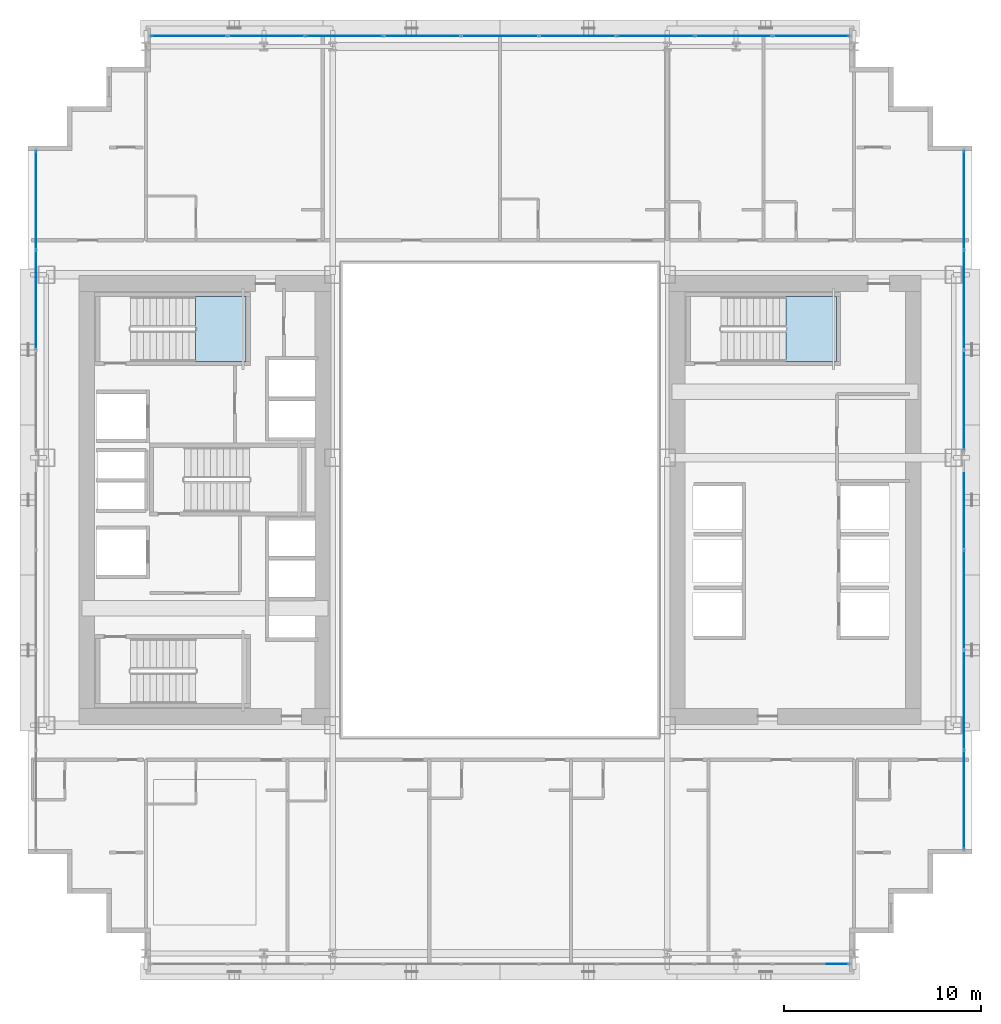
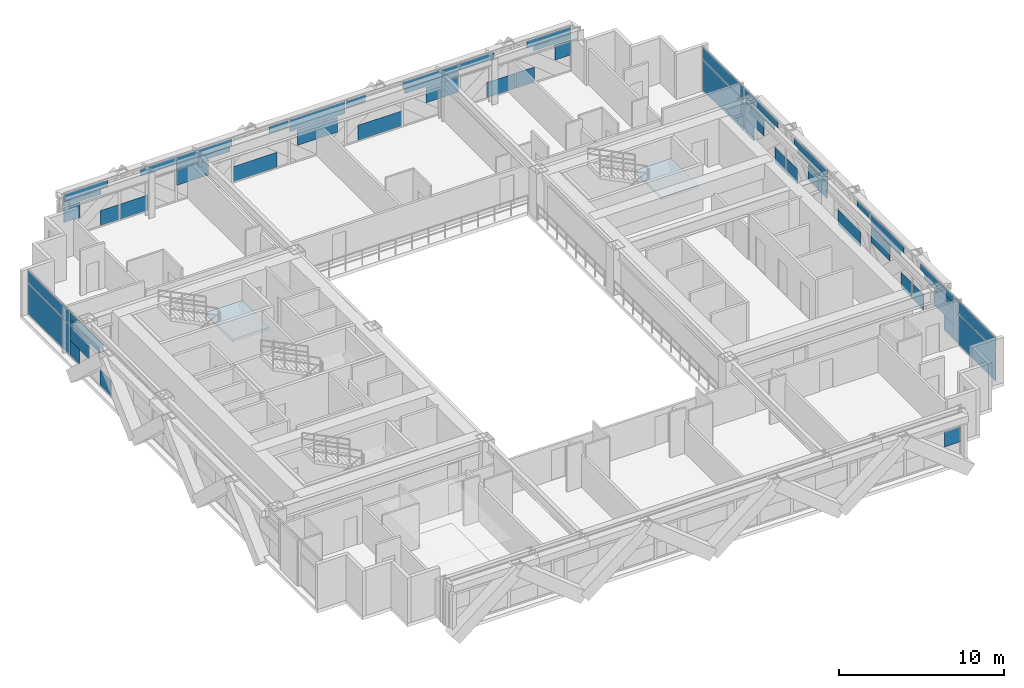
# One storey, part 24 of 35: 56 plates, 2 slabs, 6 elements without a shape of their own.
"""IFC4 building model written with IfcOpenShell, lengths in metres."""

from ifc_helpers import new_model, si_unit, direction, frame, origin, origin_2d, place, context, subcontext, project, spatial, polyline, rectangle, outline, extrude, source, transform, mapped, material, layer, layer_set, type_object, element, aggregate, save


model = new_model("IFC4")

# Units and contexts
model_context = context("Model", 3, precision=1e-05, world=origin(), true_north=direction((0.0, 1.0)))
body_context = subcontext(model_context, "Body", "Model", "MODEL_VIEW")
ifc_project = project(units=[si_unit("LENGTHUNIT", "METRE"), si_unit("AREAUNIT", "SQUARE_METRE"), si_unit("VOLUMEUNIT", "CUBIC_METRE"), si_unit("PLANEANGLEUNIT", "RADIAN"), si_unit("MASSUNIT", "GRAM", prefix="KILO")], contexts=[model_context])

# Site, building, storey
site_placement = place(None, origin())
site = spatial("IfcSite", under=ifc_project, at=site_placement, CompositionType="ELEMENT")
building_placement = place(site_placement, origin())
building = spatial("IfcBuilding", under=site, at=building_placement, Name="Ocotamira Hotel", CompositionType="ELEMENT")
storey_placement = place(building_placement, frame((0.0, 0.0, 78.0)))
storey = spatial("IfcBuildingStorey", under=building, at=storey_placement, Name="L19", CompositionType="ELEMENT", Elevation=78.0)

# Stair, slab
ifc_material_1 = material(Name="Concrete C40/50", Category="concrete")
stair_type = type_object("IfcStairType", Name="ST-CORE-1560", PredefinedType="HALF_TURN_STAIR", material=ifc_material_1)
stair_1_placement = place(storey_placement, origin())
stair_1 = element("IfcStair", 1, at=stair_1_placement, inside=storey, type_object=stair_type, Name="L19 Exit Stair ST-2", PredefinedType="HALF_TURN_STAIR")
ifc_layer_1 = layer(ifc_material_1, 0.199951171875)
ifc_layer_set_1 = layer_set([ifc_layer_1], Name="Concrete C40/50")
slab_type = type_object("IfcSlabType", Name="SLB-LAND-200", PredefinedType="LANDING", material=ifc_layer_set_1)
slab_1_placement = place(storey_placement, frame((0.0, 0.0, 1.60009765625)))
slab_1 = element("IfcSlab", 2, at=slab_1_placement, type_object=slab_type, Name="ST-2 landing 1", PredefinedType="LANDING", context=body_context, shape_type="SweptSolid", body=[
    extrude(outline(polyline([(16.530029296875, 33.050048828125), (19.090087890625, 33.050048828125), (19.090087890625, 36.330078125), (16.530029296875, 36.330078125), (16.530029296875, 33.050048828125)])), origin(), (0.0, 0.0, 1.0), 0.199951171875),
])
aggregate(stair_1, [slab_1])

stair_2_placement = place(storey_placement, origin())
stair_2 = element("IfcStair", 3, at=stair_2_placement, inside=storey, type_object=stair_type, Name="L19 Exit Stair ST-4", PredefinedType="HALF_TURN_STAIR")
slab_2_placement = place(storey_placement, frame((0.0, 0.0, 1.60009765625)))
slab_2 = element("IfcSlab", 4, at=slab_2_placement, type_object=slab_type, Name="ST-4 landing 1", PredefinedType="LANDING", context=body_context, shape_type="SweptSolid", body=[
    extrude(outline(polyline([(46.530029296875, 33.050048828125), (49.090087890625, 33.050048828125), (49.090087890625, 36.330078125), (46.530029296875, 36.330078125), (46.530029296875, 33.050048828125)])), origin(), (0.0, 0.0, 1.0), 0.199951171875),
])
aggregate(stair_2, [slab_2])

# Curtain wall, plates
ifc_material_2 = material(Name="Anodised pale-metal aluminium and solar glass", Category="aluminium")
ifc_layer_2 = layer(ifc_material_2, 0.179931640625)
ifc_layer_set_2 = layer_set([ifc_layer_2], Name="Anodised pale-metal aluminium and solar glass")
curtain_wall_type = type_object("IfcCurtainWallType", Name="CW-SYS2-Z1", PredefinedType="NOTDEFINED", material=ifc_layer_set_2)
curtain_wall_1_placement = place(storey_placement, origin())
curtain_wall_1 = element("IfcCurtainWall", 5, at=curtain_wall_1_placement, inside=storey, type_object=curtain_wall_type, Name="L19 Curtain Wall CW-2 CW-L19-N", PredefinedType="NOTDEFINED")
ifc_material_3 = material(Name="Double-silver low-E insulated solar glass", Category="glass")
ifc_layer_3 = layer(ifc_material_3, 0.031982421875)
ifc_layer_set_3 = layer_set([ifc_layer_3], Name="Double-silver low-E insulated solar glass")
plate_type = type_object("IfcPlateType", Name="CWP-VISION-32", PredefinedType="CURTAIN_PANEL", material=ifc_layer_set_3)
shared_shape_1 = source(origin(), body_context, "Body", "SweptSolid", [
    extrude(rectangle(XDim=1.278076171875, YDim=0.031982421875, at=origin_2d()), origin(), (0.0, 0.0, 1.0), 1.11865234375),
])
plate_1_placement = place(storey_placement, frame((17.4765625, 49.580078125, 0.0751953125), z_axis=(0.0, 0.0, 1.0), x_axis=(1.0, 0.0, 0.0)))
plate_1 = element("IfcPlate", 6, at=plate_1_placement, type_object=plate_type, Name="CW-2 panel 1.1.2", PredefinedType="CURTAIN_PANEL", context=body_context, shape_type="MappedRepresentation", body=[
    mapped(shared_shape_1, transform((0.0, 0.0, 0.0), scale=1.0)),
])
plate_2_placement = place(storey_placement, frame((46.5234375, 49.580078125, 0.0751953125), z_axis=(0.0, 0.0, 1.0), x_axis=(1.0, 0.0, 0.0)))
plate_2 = element("IfcPlate", 7, at=plate_2_placement, type_object=plate_type, Name="CW-2 panel 9.1.1", PredefinedType="CURTAIN_PANEL", context=body_context, shape_type="MappedRepresentation", body=[
    mapped(shared_shape_1, transform((0.0, 0.0, 0.0), scale=1.0)),
])
shared_shape_2 = source(origin(), body_context, "Body", "SweptSolid", [
    extrude(rectangle(XDim=3.079833984375, YDim=0.031982421875, at=origin_2d()), origin(), (0.0, 0.0, 1.0), 0.5107421875),
])
plate_3_placement = place(storey_placement, frame((15.820068359375, 49.580078125, 2.76416015625), z_axis=(0.0, 0.0, 1.0), x_axis=(1.0, 0.0, 0.0)))
plate_3 = element("IfcPlate", 8, at=plate_3_placement, type_object=plate_type, Name="CW-2 panel 1.2.2", PredefinedType="CURTAIN_PANEL", context=body_context, shape_type="MappedRepresentation", body=[
    mapped(shared_shape_2, transform((0.0, 0.0, 0.0), scale=1.0)),
])
plate_4_placement = place(storey_placement, frame((48.179931640625, 49.580078125, 2.76416015625), z_axis=(0.0, 0.0, 1.0), x_axis=(1.0, 0.0, 0.0)))
plate_4 = element("IfcPlate", 9, at=plate_4_placement, type_object=plate_type, Name="CW-2 panel 9.2.1", PredefinedType="CURTAIN_PANEL", context=body_context, shape_type="MappedRepresentation", body=[
    mapped(shared_shape_2, transform((0.0, 0.0, 0.0), scale=1.0)),
])
shared_shape_3 = source(origin(), body_context, "Body", "SweptSolid", [
    extrude(rectangle(XDim=1.966796875, YDim=0.031982421875, at=origin_2d()), origin(), (0.0, 0.0, 1.0), 1.11865234375),
])
plate_5_placement = place(storey_placement, frame((19.178955078125, 49.580078125, 0.0751953125), z_axis=(0.0, 0.0, 1.0), x_axis=(1.0, 0.0, 0.0)))
plate_5 = element("IfcPlate", 10, at=plate_5_placement, type_object=plate_type, Name="CW-2 panel 2.1.1", PredefinedType="CURTAIN_PANEL", context=body_context, shape_type="MappedRepresentation", body=[
    mapped(shared_shape_3, transform((0.0, 0.0, 0.0), scale=1.0)),
])
plate_6_placement = place(storey_placement, frame((44.821044921875, 49.580078125, 0.0751953125), z_axis=(0.0, 0.0, 1.0), x_axis=(1.0, 0.0, 0.0)))
plate_6 = element("IfcPlate", 11, at=plate_6_placement, type_object=plate_type, Name="CW-2 panel 8.1.1", PredefinedType="CURTAIN_PANEL", context=body_context, shape_type="MappedRepresentation", body=[
    mapped(shared_shape_3, transform((0.0, 0.0, 0.0), scale=1.0)),
])
shared_shape_4 = source(origin(), body_context, "Body", "SweptSolid", [
    extrude(rectangle(XDim=2.430908203125, YDim=0.031982421875, at=origin_2d()), origin(), (0.0, 0.0, 1.0), 0.5107421875),
])
plate_7_placement = place(storey_placement, frame((20.855712890625, 49.580078125, 2.76416015625), z_axis=(0.0, 0.0, 1.0), x_axis=(1.0, 0.0, 0.0)))
plate_7 = element("IfcPlate", 12, at=plate_7_placement, type_object=plate_type, Name="CW-2 panel 2.2.1", PredefinedType="CURTAIN_PANEL", context=body_context, shape_type="MappedRepresentation", body=[
    mapped(shared_shape_4, transform((0.0, 0.0, 0.0), scale=1.0)),
])
plate_8_placement = place(storey_placement, frame((43.144287109375, 49.580078125, 2.76416015625), z_axis=(0.0, 0.0, 1.0), x_axis=(1.0, 0.0, 0.0)))
plate_8 = element("IfcPlate", 13, at=plate_8_placement, type_object=plate_type, Name="CW-2 panel 8.2.1", PredefinedType="CURTAIN_PANEL", context=body_context, shape_type="MappedRepresentation", body=[
    mapped(shared_shape_4, transform((0.0, 0.0, 0.0), scale=1.0)),
])
shared_shape_5 = source(origin(), body_context, "Body", "SweptSolid", [
    extrude(rectangle(XDim=3.73779296875, YDim=0.031982421875, at=origin_2d()), origin(), (0.0, 0.0, 1.0), 0.376708984375),
])
plate_9_placement = place(storey_placement, frame((24.02001953125, 49.580078125, 2.3876953125), z_axis=(0.0, 0.0, 1.0), x_axis=(1.0, 0.0, 0.0)))
plate_9 = element("IfcPlate", 14, at=plate_9_placement, type_object=plate_type, Name="CW-2 panel 3.2.1", PredefinedType="CURTAIN_PANEL", context=body_context, shape_type="MappedRepresentation", body=[
    mapped(shared_shape_5, transform((0.0, 0.0, 0.0), scale=1.0)),
])
plate_10_placement = place(storey_placement, frame((39.97998046875, 49.580078125, 2.3876953125), z_axis=(0.0, 0.0, 1.0), x_axis=(1.0, 0.0, 0.0)))
plate_10 = element("IfcPlate", 15, at=plate_10_placement, type_object=plate_type, Name="CW-2 panel 7.2.2", PredefinedType="CURTAIN_PANEL", context=body_context, shape_type="MappedRepresentation", body=[
    mapped(shared_shape_5, transform((0.0, 0.0, 0.0), scale=1.0)),
])
shared_shape_6 = source(origin(), body_context, "Body", "SweptSolid", [
    extrude(rectangle(XDim=3.87548828125, YDim=0.031982421875, at=origin_2d()), origin(), (0.0, 0.0, 1.0), 0.5107421875),
])
plate_11_placement = place(storey_placement, frame((24.0888671875, 49.580078125, 2.76416015625), z_axis=(0.0, 0.0, 1.0), x_axis=(1.0, 0.0, 0.0)))
plate_11 = element("IfcPlate", 16, at=plate_11_placement, type_object=plate_type, Name="CW-2 panel 3.2.2", PredefinedType="CURTAIN_PANEL", context=body_context, shape_type="MappedRepresentation", body=[
    mapped(shared_shape_6, transform((0.0, 0.0, 0.0), scale=1.0)),
])
plate_12_placement = place(storey_placement, frame((39.9111328125, 49.580078125, 2.76416015625), z_axis=(0.0, 0.0, 1.0), x_axis=(1.0, 0.0, 0.0)))
plate_12 = element("IfcPlate", 17, at=plate_12_placement, type_object=plate_type, Name="CW-2 panel 7.2.1", PredefinedType="CURTAIN_PANEL", context=body_context, shape_type="MappedRepresentation", body=[
    mapped(shared_shape_6, transform((0.0, 0.0, 0.0), scale=1.0)),
])
shared_shape_7 = source(origin(), body_context, "Body", "SweptSolid", [
    extrude(rectangle(XDim=3.055908203125, YDim=0.031982421875, at=origin_2d()), origin(), (0.0, 0.0, 1.0), 1.11865234375),
])
plate_13_placement = place(storey_placement, frame((27.634521484375, 49.580078125, 0.0751953125), z_axis=(0.0, 0.0, 1.0), x_axis=(1.0, 0.0, 0.0)))
plate_13 = element("IfcPlate", 18, at=plate_13_placement, type_object=plate_type, Name="CW-2 panel 4.1.1", PredefinedType="CURTAIN_PANEL", context=body_context, shape_type="MappedRepresentation", body=[
    mapped(shared_shape_7, transform((0.0, 0.0, 0.0), scale=1.0)),
])
plate_14_placement = place(storey_placement, frame((36.365478515625, 49.580078125, 0.0751953125), z_axis=(0.0, 0.0, 1.0), x_axis=(1.0, 0.0, 0.0)))
plate_14 = element("IfcPlate", 19, at=plate_14_placement, type_object=plate_type, Name="CW-2 panel 6.1.1", PredefinedType="CURTAIN_PANEL", context=body_context, shape_type="MappedRepresentation", body=[
    mapped(shared_shape_7, transform((0.0, 0.0, 0.0), scale=1.0)),
])
shared_shape_8 = source(origin(), body_context, "Body", "SweptSolid", [
    extrude(rectangle(XDim=1.34228515625, YDim=0.031982421875, at=origin_2d()), origin(), (0.0, 0.0, 1.0), 0.5107421875),
])
plate_15_placement = place(storey_placement, frame((29.31103515625, 49.580078125, 2.76416015625), z_axis=(0.0, 0.0, 1.0), x_axis=(1.0, 0.0, 0.0)))
plate_15 = element("IfcPlate", 20, at=plate_15_placement, type_object=plate_type, Name="CW-2 panel 4.2.1", PredefinedType="CURTAIN_PANEL", context=body_context, shape_type="MappedRepresentation", body=[
    mapped(shared_shape_8, transform((0.0, 0.0, 0.0), scale=1.0)),
])
plate_16_placement = place(storey_placement, frame((34.68896484375, 49.580078125, 2.76416015625), z_axis=(0.0, 0.0, 1.0), x_axis=(1.0, 0.0, 0.0)))
plate_16 = element("IfcPlate", 21, at=plate_16_placement, type_object=plate_type, Name="CW-2 panel 6.2.1", PredefinedType="CURTAIN_PANEL", context=body_context, shape_type="MappedRepresentation", body=[
    mapped(shared_shape_8, transform((0.0, 0.0, 0.0), scale=1.0)),
])
shared_shape_9 = source(origin(), body_context, "Body", "SweptSolid", [
    extrude(rectangle(XDim=3.87548828125, YDim=0.031982421875, at=origin_2d()), origin(), (0.0, 0.0, 1.0), 0.887451171875),
])
plate_17_placement = place(storey_placement, frame((32.0, 49.580078125, 2.3876953125), z_axis=(0.0, 0.0, 1.0), x_axis=(1.0, 0.0, 0.0)))
plate_17 = element("IfcPlate", 22, at=plate_17_placement, type_object=plate_type, Name="CW-2 panel 5.2", PredefinedType="CURTAIN_PANEL", context=body_context, shape_type="MappedRepresentation", body=[
    mapped(shared_shape_9, transform((0.0, 0.0, 0.0), scale=1.0)),
])

# Curtain wall, plate
curtain_wall_2_placement = place(storey_placement, origin())
curtain_wall_2 = element("IfcCurtainWall", 23, at=curtain_wall_2_placement, inside=storey, type_object=curtain_wall_type, Name="L19 Curtain Wall CW-2 CW-L19-W", PredefinedType="NOTDEFINED")
shared_shape_10 = source(origin(), body_context, "Body", "SweptSolid", [
    extrude(rectangle(XDim=4.9658203125, YDim=0.031982421875, at=origin_2d()), origin(), (0.0, 0.0, 1.0), 2.237548828125),
])
plate_18_placement = place(storey_placement, frame((8.419921875, 41.237060546875, 0.0751953125), z_axis=(0.0, 0.0, 1.0), x_axis=(0.0, 1.0, 0.0)))
plate_18 = element("IfcPlate", 24, at=plate_18_placement, type_object=plate_type, Name="CW-2 panel 7.1", PredefinedType="CURTAIN_PANEL", context=body_context, shape_type="MappedRepresentation", body=[
    mapped(shared_shape_10, transform((0.0, 0.0, 0.0), scale=1.0)),
])

# Curtain wall, plates
curtain_wall_3_placement = place(storey_placement, origin())
curtain_wall_3 = element("IfcCurtainWall", 25, at=curtain_wall_3_placement, inside=storey, type_object=curtain_wall_type, Name="L19 Curtain Wall CW-2 CW-L19-E", PredefinedType="NOTDEFINED")
plate_19_placement = place(storey_placement, frame((55.580078125, 10.762939453125, 0.0751953125), z_axis=(0.0, 0.0, 1.0), x_axis=(0.0, 1.0, 0.0)))
plate_19 = element("IfcPlate", 26, at=plate_19_placement, type_object=plate_type, Name="CW-2 panel 1.1", PredefinedType="CURTAIN_PANEL", context=body_context, shape_type="MappedRepresentation", body=[
    mapped(shared_shape_10, transform((0.0, 0.0, 0.0), scale=1.0)),
])
plate_20_placement = place(storey_placement, frame((55.580078125, 41.237060546875, 0.0751953125), z_axis=(0.0, 0.0, 1.0), x_axis=(0.0, 1.0, 0.0)))
plate_20 = element("IfcPlate", 27, at=plate_20_placement, type_object=plate_type, Name="CW-2 panel 7.1", PredefinedType="CURTAIN_PANEL", context=body_context, shape_type="MappedRepresentation", body=[
    mapped(shared_shape_10, transform((0.0, 0.0, 0.0), scale=1.0)),
])

# Plate
shared_shape_11 = source(origin(), body_context, "Body", "SweptSolid", [
    extrude(rectangle(XDim=4.9658203125, YDim=0.031982421875, at=origin_2d()), origin(), (0.0, 0.0, 1.0), 0.887451171875),
])
plate_21_placement = place(storey_placement, frame((8.419921875, 41.237060546875, 2.3876953125), z_axis=(0.0, 0.0, 1.0), x_axis=(0.0, 1.0, 0.0)))
plate_21 = element("IfcPlate", 28, at=plate_21_placement, type_object=plate_type, Name="CW-2 panel 7.2", PredefinedType="CURTAIN_PANEL", context=body_context, shape_type="MappedRepresentation", body=[
    mapped(shared_shape_11, transform((0.0, 0.0, 0.0), scale=1.0)),
])

plate_22_placement = place(storey_placement, frame((55.580078125, 10.762939453125, 2.3876953125), z_axis=(0.0, 0.0, 1.0), x_axis=(0.0, 1.0, 0.0)))
plate_22 = element("IfcPlate", 29, at=plate_22_placement, type_object=plate_type, Name="CW-2 panel 1.2", PredefinedType="CURTAIN_PANEL", context=body_context, shape_type="MappedRepresentation", body=[
    mapped(shared_shape_11, transform((0.0, 0.0, 0.0), scale=1.0)),
])

plate_23_placement = place(storey_placement, frame((55.580078125, 41.237060546875, 2.3876953125), z_axis=(0.0, 0.0, 1.0), x_axis=(0.0, 1.0, 0.0)))
plate_23 = element("IfcPlate", 30, at=plate_23_placement, type_object=plate_type, Name="CW-2 panel 7.2", PredefinedType="CURTAIN_PANEL", context=body_context, shape_type="MappedRepresentation", body=[
    mapped(shared_shape_11, transform((0.0, 0.0, 0.0), scale=1.0)),
])

shared_shape_12 = source(origin(), body_context, "Body", "SweptSolid", [
    extrude(rectangle(XDim=1.177978515625, YDim=0.031982421875, at=origin_2d()), origin(), (0.0, 0.0, 1.0), 1.11865234375),
])
plate_24_placement = place(storey_placement, frame((8.419921875, 38.085205078125, 0.0751953125), z_axis=(0.0, 0.0, 1.0), x_axis=(0.0, 1.0, 0.0)))
plate_24 = element("IfcPlate", 31, at=plate_24_placement, type_object=plate_type, Name="CW-2 panel 6.1.3", PredefinedType="CURTAIN_PANEL", context=body_context, shape_type="MappedRepresentation", body=[
    mapped(shared_shape_12, transform((0.0, 0.0, 0.0), scale=1.0)),
])

plate_25_placement = place(storey_placement, frame((55.580078125, 13.914794921875, 0.0751953125), z_axis=(0.0, 0.0, 1.0), x_axis=(0.0, 1.0, 0.0)))
plate_25 = element("IfcPlate", 32, at=plate_25_placement, type_object=plate_type, Name="CW-2 panel 2.1.1", PredefinedType="CURTAIN_PANEL", context=body_context, shape_type="MappedRepresentation", body=[
    mapped(shared_shape_12, transform((0.0, 0.0, 0.0), scale=1.0)),
])

plate_26_placement = place(storey_placement, frame((55.580078125, 38.085205078125, 0.0751953125), z_axis=(0.0, 0.0, 1.0), x_axis=(0.0, 1.0, 0.0)))
plate_26 = element("IfcPlate", 33, at=plate_26_placement, type_object=plate_type, Name="CW-2 panel 6.1.3", PredefinedType="CURTAIN_PANEL", context=body_context, shape_type="MappedRepresentation", body=[
    mapped(shared_shape_12, transform((0.0, 0.0, 0.0), scale=1.0)),
])

shared_shape_13 = source(origin(), body_context, "Body", "SweptSolid", [
    extrude(rectangle(XDim=1.330078125, YDim=0.031982421875, at=origin_2d()), origin(), (0.0, 0.0, 1.0), 1.11865234375),
])
plate_27_placement = place(storey_placement, frame((8.419921875, 34.33349609375, 0.0751953125), z_axis=(0.0, 0.0, 1.0), x_axis=(0.0, 1.0, 0.0)))
plate_27 = element("IfcPlate", 34, at=plate_27_placement, type_object=plate_type, Name="CW-2 panel 6.1.1", PredefinedType="CURTAIN_PANEL", context=body_context, shape_type="MappedRepresentation", body=[
    mapped(shared_shape_13, transform((0.0, 0.0, 0.0), scale=1.0)),
])

plate_28_placement = place(storey_placement, frame((55.580078125, 17.66650390625, 0.0751953125), z_axis=(0.0, 0.0, 1.0), x_axis=(0.0, 1.0, 0.0)))
plate_28 = element("IfcPlate", 35, at=plate_28_placement, type_object=plate_type, Name="CW-2 panel 2.1.3", PredefinedType="CURTAIN_PANEL", context=body_context, shape_type="MappedRepresentation", body=[
    mapped(shared_shape_13, transform((0.0, 0.0, 0.0), scale=1.0)),
])

plate_29_placement = place(storey_placement, frame((55.580078125, 34.33349609375, 0.0751953125), z_axis=(0.0, 0.0, 1.0), x_axis=(0.0, 1.0, 0.0)))
plate_29 = element("IfcPlate", 36, at=plate_29_placement, type_object=plate_type, Name="CW-2 panel 6.1.1", PredefinedType="CURTAIN_PANEL", context=body_context, shape_type="MappedRepresentation", body=[
    mapped(shared_shape_13, transform((0.0, 0.0, 0.0), scale=1.0)),
])

shared_shape_14 = source(origin(), body_context, "Body", "SweptSolid", [
    extrude(rectangle(XDim=4.05615234375, YDim=0.031982421875, at=origin_2d()), origin(), (0.0, 0.0, 1.0), 0.485107421875),
])
plate_30_placement = place(storey_placement, frame((8.419921875, 36.646240234375, 2.7900390625), z_axis=(0.0, 0.0, 1.0), x_axis=(0.0, 1.0, 0.0)))
plate_30 = element("IfcPlate", 37, at=plate_30_placement, type_object=plate_type, Name="CW-2 panel 6.2.1", PredefinedType="CURTAIN_PANEL", context=body_context, shape_type="MappedRepresentation", body=[
    mapped(shared_shape_14, transform((0.0, 0.0, 0.0), scale=1.0)),
])

plate_31_placement = place(storey_placement, frame((55.580078125, 15.353759765625, 2.7900390625), z_axis=(0.0, 0.0, 1.0), x_axis=(0.0, 1.0, 0.0)))
plate_31 = element("IfcPlate", 38, at=plate_31_placement, type_object=plate_type, Name="CW-2 panel 2.2.2", PredefinedType="CURTAIN_PANEL", context=body_context, shape_type="MappedRepresentation", body=[
    mapped(shared_shape_14, transform((0.0, 0.0, 0.0), scale=1.0)),
])

plate_32_placement = place(storey_placement, frame((55.580078125, 36.646240234375, 2.7900390625), z_axis=(0.0, 0.0, 1.0), x_axis=(0.0, 1.0, 0.0)))
plate_32 = element("IfcPlate", 39, at=plate_32_placement, type_object=plate_type, Name="CW-2 panel 6.2.1", PredefinedType="CURTAIN_PANEL", context=body_context, shape_type="MappedRepresentation", body=[
    mapped(shared_shape_14, transform((0.0, 0.0, 0.0), scale=1.0)),
])

shared_shape_15 = source(origin(), body_context, "Body", "SweptSolid", [
    extrude(rectangle(XDim=1.3203125, YDim=0.031982421875, at=origin_2d()), origin(), (0.0, 0.0, 1.0), 1.11865234375),
])
plate_33_placement = place(storey_placement, frame((55.580078125, 19.071533203125, 0.0751953125), z_axis=(0.0, 0.0, 1.0), x_axis=(0.0, 1.0, 0.0)))
plate_33 = element("IfcPlate", 40, at=plate_33_placement, type_object=plate_type, Name="CW-2 panel 3.1.1", PredefinedType="CURTAIN_PANEL", context=body_context, shape_type="MappedRepresentation", body=[
    mapped(shared_shape_15, transform((0.0, 0.0, 0.0), scale=1.0)),
])

plate_34_placement = place(storey_placement, frame((55.580078125, 32.928466796875, 0.0751953125), z_axis=(0.0, 0.0, 1.0), x_axis=(0.0, 1.0, 0.0)))
plate_34 = element("IfcPlate", 41, at=plate_34_placement, type_object=plate_type, Name="CW-2 panel 5.1.2", PredefinedType="CURTAIN_PANEL", context=body_context, shape_type="MappedRepresentation", body=[
    mapped(shared_shape_15, transform((0.0, 0.0, 0.0), scale=1.0)),
])

shared_shape_16 = source(origin(), body_context, "Body", "SweptSolid", [
    extrude(rectangle(XDim=4.06591796875, YDim=0.031982421875, at=origin_2d()), origin(), (0.0, 0.0, 1.0), 0.485107421875),
])
plate_35_placement = place(storey_placement, frame((55.580078125, 21.38427734375, 2.7900390625), z_axis=(0.0, 0.0, 1.0), x_axis=(0.0, 1.0, 0.0)))
plate_35 = element("IfcPlate", 42, at=plate_35_placement, type_object=plate_type, Name="CW-2 panel 3.2.1", PredefinedType="CURTAIN_PANEL", context=body_context, shape_type="MappedRepresentation", body=[
    mapped(shared_shape_16, transform((0.0, 0.0, 0.0), scale=1.0)),
])

plate_36_placement = place(storey_placement, frame((55.580078125, 30.61572265625, 2.7900390625), z_axis=(0.0, 0.0, 1.0), x_axis=(0.0, 1.0, 0.0)))
plate_36 = element("IfcPlate", 43, at=plate_36_placement, type_object=plate_type, Name="CW-2 panel 5.2.2", PredefinedType="CURTAIN_PANEL", context=body_context, shape_type="MappedRepresentation", body=[
    mapped(shared_shape_16, transform((0.0, 0.0, 0.0), scale=1.0)),
])

shared_shape_17 = source(origin(), body_context, "Body", "SweptSolid", [
    extrude(rectangle(XDim=2.730224609375, YDim=0.031982421875, at=origin_2d()), origin(), (0.0, 0.0, 1.0), 1.11865234375),
])
plate_37_placement = place(storey_placement, frame((55.580078125, 26.0, 0.0751953125), z_axis=(0.0, 0.0, 1.0), x_axis=(0.0, 1.0, 0.0)))
plate_37 = element("IfcPlate", 44, at=plate_37_placement, type_object=plate_type, Name="CW-2 panel 4.1.1", PredefinedType="CURTAIN_PANEL", context=body_context, shape_type="MappedRepresentation", body=[
    mapped(shared_shape_17, transform((0.0, 0.0, 0.0), scale=1.0)),
])

shared_shape_18 = source(origin(), body_context, "Body", "SweptSolid", [
    extrude(rectangle(XDim=1.518310546875, YDim=0.031982421875, at=origin_2d()), origin(), (0.0, 0.0, 1.0), 0.485107421875),
])
plate_38_placement = place(storey_placement, frame((55.580078125, 24.256103515625, 2.7900390625), z_axis=(0.0, 0.0, 1.0), x_axis=(0.0, 1.0, 0.0)))
plate_38 = element("IfcPlate", 45, at=plate_38_placement, type_object=plate_type, Name="CW-2 panel 4.2.1", PredefinedType="CURTAIN_PANEL", context=body_context, shape_type="MappedRepresentation", body=[
    mapped(shared_shape_18, transform((0.0, 0.0, 0.0), scale=1.0)),
])

# Curtain wall, plate
curtain_wall_4_placement = place(storey_placement, origin())
curtain_wall_4 = element("IfcCurtainWall", 46, at=curtain_wall_4_placement, inside=storey, type_object=curtain_wall_type, Name="L19 Curtain Wall CW-2 CW-L19-S1", PredefinedType="NOTDEFINED")
shared_shape_19 = source(origin(), body_context, "Body", "SweptSolid", [
    extrude(rectangle(XDim=1.11669921875, YDim=0.031982421875, at=origin_2d()), origin(), (0.0, 0.0, 1.0), 1.118896484375),
])
plate_39_placement = place(storey_placement, frame((49.16162109375, 2.419921875, 1.19384765625), z_axis=(0.0, 0.0, 1.0), x_axis=(1.0, 0.0, 0.0)))
plate_39 = element("IfcPlate", 47, at=plate_39_placement, type_object=plate_type, Name="CW-2 panel 9.1.2", PredefinedType="CURTAIN_PANEL", context=body_context, shape_type="MappedRepresentation", body=[
    mapped(shared_shape_19, transform((0.0, 0.0, 0.0), scale=1.0)),
])
aggregate(curtain_wall_4, [plate_39])

# Plate
plate_40_placement = place(storey_placement, frame((14.83837890625, 49.580078125, 1.19384765625), z_axis=(0.0, 0.0, 1.0), x_axis=(1.0, 0.0, 0.0)))
plate_40 = element("IfcPlate", 48, at=plate_40_placement, type_object=plate_type, Name="CW-2 panel 1.1.1", PredefinedType="CURTAIN_PANEL", context=body_context, shape_type="MappedRepresentation", body=[
    mapped(shared_shape_19, transform((0.0, 0.0, 0.0), scale=1.0)),
])

plate_41_placement = place(storey_placement, frame((49.16162109375, 49.580078125, 1.19384765625), z_axis=(0.0, 0.0, 1.0), x_axis=(1.0, 0.0, 0.0)))
plate_41 = element("IfcPlate", 49, at=plate_41_placement, type_object=plate_type, Name="CW-2 panel 9.1.2", PredefinedType="CURTAIN_PANEL", context=body_context, shape_type="MappedRepresentation", body=[
    mapped(shared_shape_19, transform((0.0, 0.0, 0.0), scale=1.0)),
])

shared_shape_20 = source(origin(), body_context, "Body", "SweptSolid", [
    extrude(rectangle(XDim=2.24560546875, YDim=0.031982421875, at=origin_2d()), origin(), (0.0, 0.0, 1.0), 1.118896484375),
])
plate_42_placement = place(storey_placement, frame((23.27392578125, 49.580078125, 1.19384765625), z_axis=(0.0, 0.0, 1.0), x_axis=(1.0, 0.0, 0.0)))
plate_42 = element("IfcPlate", 50, at=plate_42_placement, type_object=plate_type, Name="CW-2 panel 3.1.1", PredefinedType="CURTAIN_PANEL", context=body_context, shape_type="MappedRepresentation", body=[
    mapped(shared_shape_20, transform((0.0, 0.0, 0.0), scale=1.0)),
])

plate_43_placement = place(storey_placement, frame((40.72607421875, 49.580078125, 1.19384765625), z_axis=(0.0, 0.0, 1.0), x_axis=(1.0, 0.0, 0.0)))
plate_43 = element("IfcPlate", 51, at=plate_43_placement, type_object=plate_type, Name="CW-2 panel 7.1.1", PredefinedType="CURTAIN_PANEL", context=body_context, shape_type="MappedRepresentation", body=[
    mapped(shared_shape_20, transform((0.0, 0.0, 0.0), scale=1.0)),
])

shared_shape_21 = source(origin(), body_context, "Body", "SweptSolid", [
    extrude(rectangle(XDim=2.793701171875, YDim=0.031982421875, at=origin_2d()), origin(), (0.0, 0.0, 1.0), 1.118896484375),
])
plate_44_placement = place(storey_placement, frame((32.0, 49.580078125, 1.19384765625), z_axis=(0.0, 0.0, 1.0), x_axis=(1.0, 0.0, 0.0)))
plate_44 = element("IfcPlate", 52, at=plate_44_placement, type_object=plate_type, Name="CW-2 panel 5.1.1", PredefinedType="CURTAIN_PANEL", context=body_context, shape_type="MappedRepresentation", body=[
    mapped(shared_shape_21, transform((0.0, 0.0, 0.0), scale=1.0)),
])

shared_shape_22 = source(origin(), body_context, "Body", "SweptSolid", [
    extrude(rectangle(XDim=2.364013671875, YDim=0.031982421875, at=origin_2d()), origin(), (0.0, 0.0, 1.0), 1.118896484375),
])
plate_45_placement = place(storey_placement, frame((8.419921875, 37.4921875, 1.19384765625), z_axis=(0.0, 0.0, 1.0), x_axis=(0.0, 1.0, 0.0)))
plate_45 = element("IfcPlate", 53, at=plate_45_placement, type_object=plate_type, Name="CW-2 panel 6.1.2", PredefinedType="CURTAIN_PANEL", context=body_context, shape_type="MappedRepresentation", body=[
    mapped(shared_shape_22, transform((0.0, 0.0, 0.0), scale=1.0)),
])

plate_46_placement = place(storey_placement, frame((55.580078125, 14.5078125, 1.19384765625), z_axis=(0.0, 0.0, 1.0), x_axis=(0.0, 1.0, 0.0)))
plate_46 = element("IfcPlate", 54, at=plate_46_placement, type_object=plate_type, Name="CW-2 panel 2.1.2", PredefinedType="CURTAIN_PANEL", context=body_context, shape_type="MappedRepresentation", body=[
    mapped(shared_shape_22, transform((0.0, 0.0, 0.0), scale=1.0)),
])

plate_47_placement = place(storey_placement, frame((55.580078125, 37.4921875, 1.19384765625), z_axis=(0.0, 0.0, 1.0), x_axis=(0.0, 1.0, 0.0)))
plate_47 = element("IfcPlate", 55, at=plate_47_placement, type_object=plate_type, Name="CW-2 panel 6.1.2", PredefinedType="CURTAIN_PANEL", context=body_context, shape_type="MappedRepresentation", body=[
    mapped(shared_shape_22, transform((0.0, 0.0, 0.0), scale=1.0)),
])

shared_shape_23 = source(origin(), body_context, "Body", "SweptSolid", [
    extrude(rectangle(XDim=2.27978515625, YDim=0.031982421875, at=origin_2d()), origin(), (0.0, 0.0, 1.0), 1.118896484375),
])
plate_48_placement = place(storey_placement, frame((55.580078125, 22.183349609375, 1.19384765625), z_axis=(0.0, 0.0, 1.0), x_axis=(0.0, 1.0, 0.0)))
plate_48 = element("IfcPlate", 56, at=plate_48_placement, type_object=plate_type, Name="CW-2 panel 3.1.2", PredefinedType="CURTAIN_PANEL", context=body_context, shape_type="MappedRepresentation", body=[
    mapped(shared_shape_23, transform((0.0, 0.0, 0.0), scale=1.0)),
])

plate_49_placement = place(storey_placement, frame((55.580078125, 29.816650390625, 1.19384765625), z_axis=(0.0, 0.0, 1.0), x_axis=(0.0, 1.0, 0.0)))
plate_49 = element("IfcPlate", 57, at=plate_49_placement, type_object=plate_type, Name="CW-2 panel 5.1.1", PredefinedType="CURTAIN_PANEL", context=body_context, shape_type="MappedRepresentation", body=[
    mapped(shared_shape_23, transform((0.0, 0.0, 0.0), scale=1.0)),
])

shared_shape_24 = source(origin(), body_context, "Body", "SweptSolid", [
    extrude(rectangle(XDim=2.60888671875, YDim=0.031982421875, at=origin_2d()), origin(), (0.0, 0.0, 1.0), 0.343017578125),
])
plate_50_placement = place(storey_placement, frame((15.58447265625, 49.580078125, 2.3876953125), z_axis=(0.0, 0.0, 1.0), x_axis=(1.0, 0.0, 0.0)))
plate_50 = element("IfcPlate", 58, at=plate_50_placement, type_object=plate_type, Name="CW-2 panel 1.2.1", PredefinedType="CURTAIN_PANEL", context=body_context, shape_type="MappedRepresentation", body=[
    mapped(shared_shape_24, transform((0.0, 0.0, 0.0), scale=1.0)),
])

plate_51_placement = place(storey_placement, frame((48.41552734375, 49.580078125, 2.3876953125), z_axis=(0.0, 0.0, 1.0), x_axis=(1.0, 0.0, 0.0)))
plate_51 = element("IfcPlate", 59, at=plate_51_placement, type_object=plate_type, Name="CW-2 panel 9.2.2", PredefinedType="CURTAIN_PANEL", context=body_context, shape_type="MappedRepresentation", body=[
    mapped(shared_shape_24, transform((0.0, 0.0, 0.0), scale=1.0)),
])

aggregate(curtain_wall_1, [plate_40, plate_1, plate_50, plate_3, plate_5, plate_7, plate_42, plate_9, plate_11, plate_13, plate_15, plate_44, plate_17, plate_14, plate_16, plate_43, plate_12, plate_10, plate_6, plate_8, plate_2, plate_41, plate_4, plate_51])

shared_shape_25 = source(origin(), body_context, "Body", "SweptSolid", [
    extrude(rectangle(XDim=3.629638671875, YDim=0.031982421875, at=origin_2d()), origin(), (0.0, 0.0, 1.0), 0.365234375),
])
plate_52_placement = place(storey_placement, frame((8.419921875, 36.859375, 2.387451171875), z_axis=(0.0, 0.0, 1.0), x_axis=(0.0, 1.0, 0.0)))
plate_52 = element("IfcPlate", 60, at=plate_52_placement, type_object=plate_type, Name="CW-2 panel 6.2.2", PredefinedType="CURTAIN_PANEL", context=body_context, shape_type="MappedRepresentation", body=[
    mapped(shared_shape_25, transform((0.0, 0.0, 0.0), scale=1.0)),
])

aggregate(curtain_wall_2, [plate_27, plate_45, plate_24, plate_30, plate_52, plate_18, plate_21])

plate_53_placement = place(storey_placement, frame((55.580078125, 15.140625, 2.387451171875), z_axis=(0.0, 0.0, 1.0), x_axis=(0.0, 1.0, 0.0)))
plate_53 = element("IfcPlate", 61, at=plate_53_placement, type_object=plate_type, Name="CW-2 panel 2.2.1", PredefinedType="CURTAIN_PANEL", context=body_context, shape_type="MappedRepresentation", body=[
    mapped(shared_shape_25, transform((0.0, 0.0, 0.0), scale=1.0)),
])

plate_54_placement = place(storey_placement, frame((55.580078125, 36.859375, 2.387451171875), z_axis=(0.0, 0.0, 1.0), x_axis=(0.0, 1.0, 0.0)))
plate_54 = element("IfcPlate", 62, at=plate_54_placement, type_object=plate_type, Name="CW-2 panel 6.2.2", PredefinedType="CURTAIN_PANEL", context=body_context, shape_type="MappedRepresentation", body=[
    mapped(shared_shape_25, transform((0.0, 0.0, 0.0), scale=1.0)),
])

shared_shape_26 = source(origin(), body_context, "Body", "SweptSolid", [
    extrude(rectangle(XDim=3.639404296875, YDim=0.031982421875, at=origin_2d()), origin(), (0.0, 0.0, 1.0), 0.365234375),
])
plate_55_placement = place(storey_placement, frame((55.580078125, 21.597412109375, 2.387451171875), z_axis=(0.0, 0.0, 1.0), x_axis=(0.0, 1.0, 0.0)))
plate_55 = element("IfcPlate", 63, at=plate_55_placement, type_object=plate_type, Name="CW-2 panel 3.2.2", PredefinedType="CURTAIN_PANEL", context=body_context, shape_type="MappedRepresentation", body=[
    mapped(shared_shape_26, transform((0.0, 0.0, 0.0), scale=1.0)),
])

plate_56_placement = place(storey_placement, frame((55.580078125, 30.402587890625, 2.387451171875), z_axis=(0.0, 0.0, 1.0), x_axis=(0.0, 1.0, 0.0)))
plate_56 = element("IfcPlate", 64, at=plate_56_placement, type_object=plate_type, Name="CW-2 panel 5.2.1", PredefinedType="CURTAIN_PANEL", context=body_context, shape_type="MappedRepresentation", body=[
    mapped(shared_shape_26, transform((0.0, 0.0, 0.0), scale=1.0)),
])

aggregate(curtain_wall_3, [plate_19, plate_22, plate_25, plate_46, plate_28, plate_53, plate_31, plate_33, plate_48, plate_35, plate_55, plate_37, plate_38, plate_49, plate_34, plate_56, plate_36, plate_29, plate_47, plate_26, plate_32, plate_54, plate_20, plate_23])

save(model, "model.ifc")
